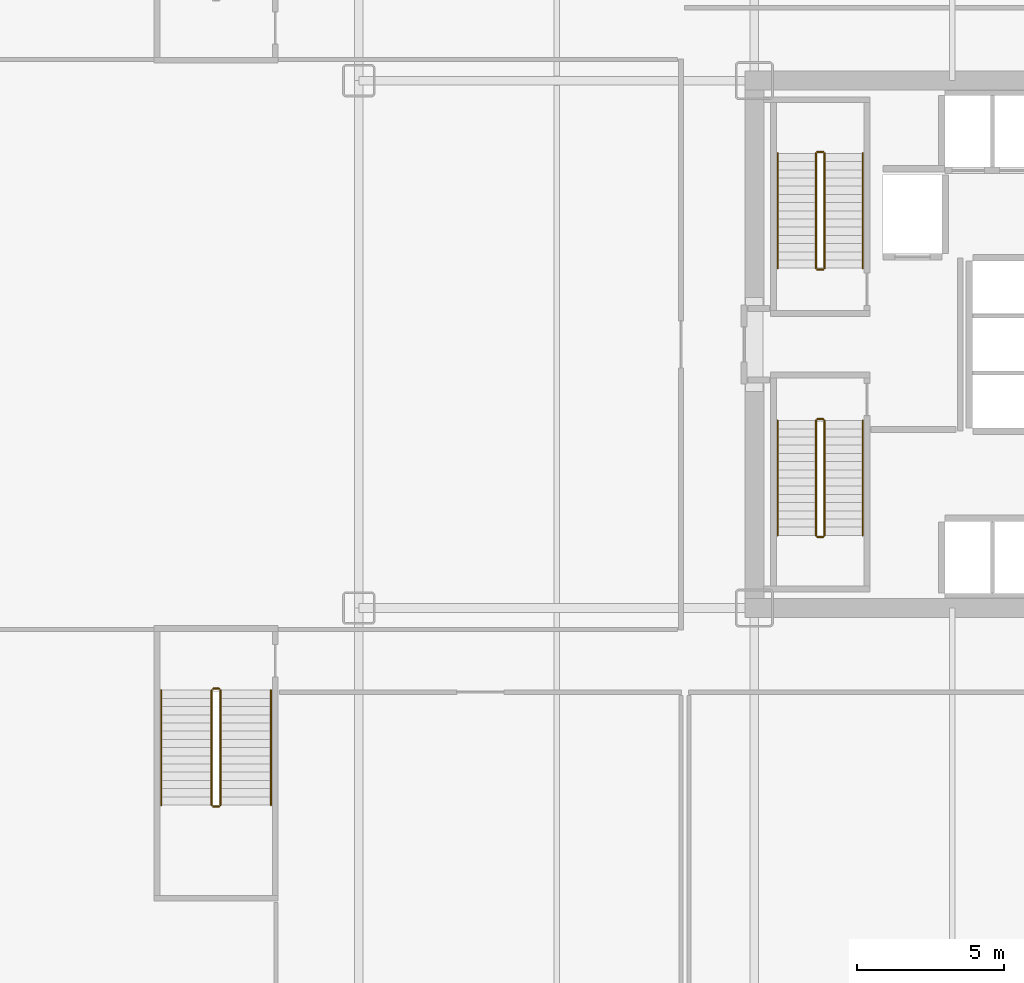
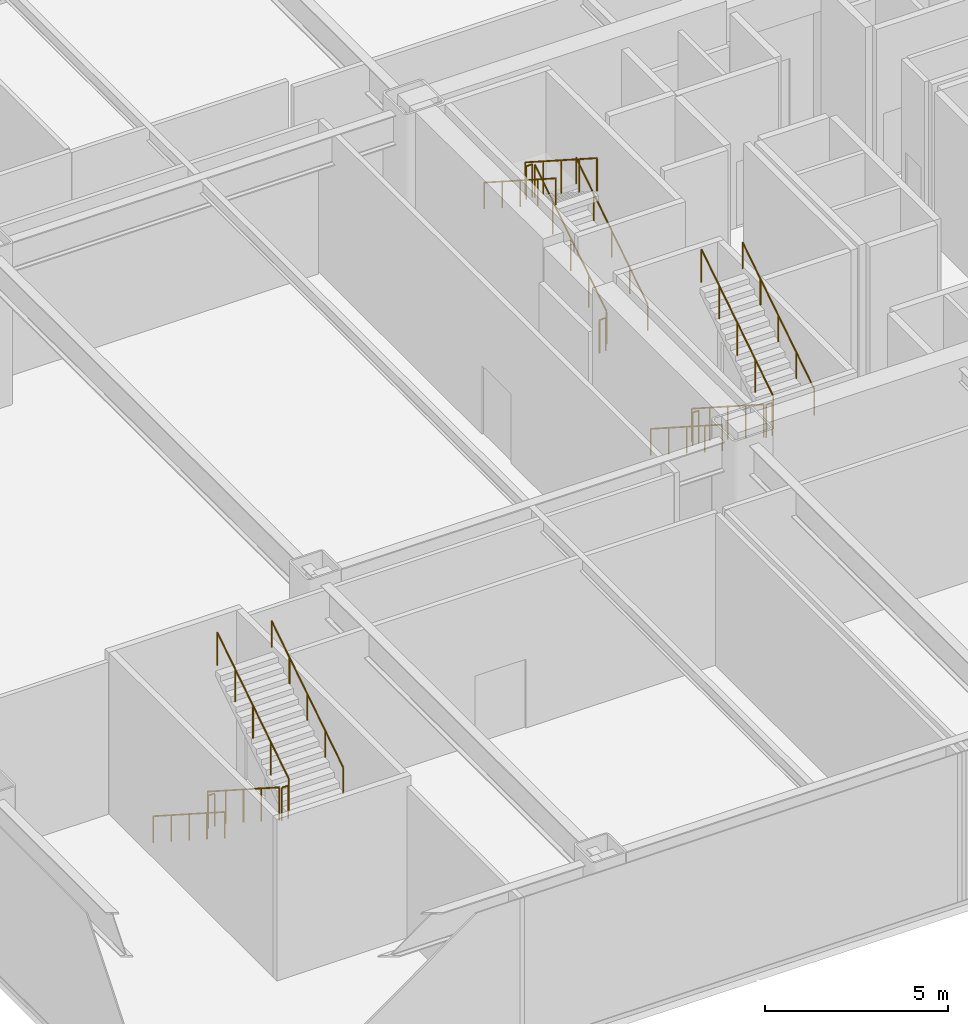
# One storey, part 21 of 24: 18 railings.
"""IFC4 building model written with IfcOpenShell, lengths in metres."""

from ifc_helpers import new_model, si_unit, direction, frame, origin, origin_2d, place, context, subcontext, project, spatial, circle, extrude, material, type_object, element, save


model = new_model("IFC4")

# Units and contexts
model_context = context("Model", 3, precision=1e-05, world=origin(), true_north=direction((0.0, 1.0)))
body_context = subcontext(model_context, "Body", "Model", "MODEL_VIEW")
ifc_project = project(units=[si_unit("LENGTHUNIT", "METRE"), si_unit("AREAUNIT", "SQUARE_METRE"), si_unit("VOLUMEUNIT", "CUBIC_METRE"), si_unit("PLANEANGLEUNIT", "RADIAN"), si_unit("MASSUNIT", "GRAM", prefix="KILO")], contexts=[model_context])

# Site, building, storey
site_placement = place(None, origin())
site = spatial("IfcSite", under=ifc_project, at=site_placement, CompositionType="ELEMENT")
building_placement = place(site_placement, origin())
building = spatial("IfcBuilding", under=site, at=building_placement, Name="Nefas-Gora Pilgrimage Tower", CompositionType="ELEMENT")
storey_placement = place(building_placement, frame((0.0, 0.0, 6.0)))
storey = spatial("IfcBuildingStorey", under=building, at=storey_placement, Name="L01", CompositionType="ELEMENT", Elevation=6.0)

# Railings
ifc_material_1 = material(Name="Painted galvanised steel", Category="steel")
railing_type_1 = type_object("IfcRailingType", Name="RLG-STR-GUARD-1100", PredefinedType="GUARDRAIL", material=ifc_material_1)
railing_1_placement = place(storey_placement, frame((-8.85009765625, 2.60009765625, 0.179931640625)))
element("IfcRailing", 1, at=railing_1_placement, inside=storey, type_object=railing_type_1, Name="L01 ST-01 stair guard 1", PredefinedType="GUARDRAIL", context=body_context, shape_type="SweptSolid", body=[
    extrude(circle(Radius=0.02392578125, at=origin_2d()), frame((0.0, 0.0, 1.09619140625), z_axis=(0.0, 0.841171666519, 0.540768182723), x_axis=(-1.0, 0.0, 0.0)), (0.0, 0.0, 1.0), 4.66015625),
    extrude(circle(Radius=0.02099609375, at=origin_2d()), origin(), (0.0, 0.0, 1.0), 1.072021484375),
    extrude(circle(Radius=0.02099609375, at=origin_2d()), frame((0.0, 0.97998046875, 0.6298828125)), (0.0, 0.0, 1.0), 1.072021484375),
    extrude(circle(Radius=0.02099609375, at=origin_2d()), frame((0.0, 1.9599609375, 1.260009765625)), (0.0, 0.0, 1.0), 1.072021484375),
    extrude(circle(Radius=0.02099609375, at=origin_2d()), frame((0.0, 2.93994140625, 1.89013671875)), (0.0, 0.0, 1.0), 1.072021484375),
    extrude(circle(Radius=0.02099609375, at=origin_2d()), frame((0.0, 3.919921875, 2.52001953125)), (0.0, 0.0, 1.0), 1.072021484375),
])
railing_2_placement = place(storey_placement, frame((-8.89990234375, 6.570068359375, 2.699951171875)))
element("IfcRailing", 2, at=railing_2_placement, inside=storey, type_object=railing_type_1, Name="L01 ST-01 stair guard 2", PredefinedType="GUARDRAIL", context=body_context, shape_type="SweptSolid", body=[
    extrude(circle(Radius=0.02392578125, at=origin_2d()), frame((0.0, 0.0, 1.09619140625), z_axis=(-1.0, 0.0, 0.0), x_axis=(0.0, -1.0, 0.0)), (0.0, 0.0, 1.0), 0.2001953125),
    extrude(circle(Radius=0.02099609375, at=origin_2d()), origin(), (0.0, 0.0, 1.0), 1.072021484375),
    extrude(circle(Radius=0.02099609375, at=origin_2d()), frame((-0.2001953125, 0.0, 0.0)), (0.0, 0.0, 1.0), 1.072021484375),
])
railing_3_placement = place(storey_placement, frame((-9.14990234375, 6.52001953125, 2.8798828125)))
element("IfcRailing", 3, at=railing_3_placement, inside=storey, type_object=railing_type_1, Name="L01 ST-01 stair guard 3", PredefinedType="GUARDRAIL", context=body_context, shape_type="SweptSolid", body=[
    extrude(circle(Radius=0.02392578125, at=origin_2d()), frame((0.0, 0.0, 1.09619140625), z_axis=(0.0, -0.841171666519, 0.540768182723), x_axis=(1.0, 0.0, 0.0)), (0.0, 0.0, 1.0), 4.66015625),
    extrude(circle(Radius=0.02099609375, at=origin_2d()), origin(), (0.0, 0.0, 1.0), 1.072021484375),
    extrude(circle(Radius=0.02099609375, at=origin_2d()), frame((0.0, -0.97998046875, 0.6298828125)), (0.0, 0.0, 1.0), 1.072021484375),
    extrude(circle(Radius=0.02099609375, at=origin_2d()), frame((0.0, -1.9599609375, 1.260009765625)), (0.0, 0.0, 1.0), 1.072021484375),
    extrude(circle(Radius=0.02099609375, at=origin_2d()), frame((0.0, -2.93994140625, 1.89013671875)), (0.0, 0.0, 1.0), 1.072021484375),
    extrude(circle(Radius=0.02099609375, at=origin_2d()), frame((0.0, -3.919921875, 2.52001953125)), (0.0, 0.0, 1.0), 1.072021484375),
])
railing_4_placement = place(storey_placement, frame((-8.89990234375, 2.550048828125, 0.0)))
element("IfcRailing", 4, at=railing_4_placement, inside=storey, type_object=railing_type_1, Name="L01 ST-01 stair guard 4", PredefinedType="GUARDRAIL", context=body_context, shape_type="SweptSolid", body=[
    extrude(circle(Radius=0.02392578125, at=origin_2d()), frame((0.0, 0.0, 1.09619140625), z_axis=(-1.0, 0.0, 0.0), x_axis=(0.0, -1.0, 0.0)), (0.0, 0.0, 1.0), 0.2001953125),
    extrude(circle(Radius=0.02099609375, at=origin_2d()), origin(), (0.0, 0.0, 1.0), 1.072021484375),
    extrude(circle(Radius=0.02099609375, at=origin_2d()), frame((-0.2001953125, 0.0, 0.0)), (0.0, 0.0, 1.0), 1.072021484375),
])
railing_5_placement = place(storey_placement, frame((-9.14990234375, -2.60009765625, 0.179931640625)))
element("IfcRailing", 5, at=railing_5_placement, inside=storey, type_object=railing_type_1, Name="L01 ST-03 stair guard 1", PredefinedType="GUARDRAIL", context=body_context, shape_type="SweptSolid", body=[
    extrude(circle(Radius=0.02392578125, at=origin_2d()), frame((0.0, 0.0, 1.09619140625), z_axis=(0.0, -0.841171666519, 0.540768182723), x_axis=(1.0, 0.0, 0.0)), (0.0, 0.0, 1.0), 4.66015625),
    extrude(circle(Radius=0.02099609375, at=origin_2d()), origin(), (0.0, 0.0, 1.0), 1.072021484375),
    extrude(circle(Radius=0.02099609375, at=origin_2d()), frame((0.0, -0.97998046875, 0.6298828125)), (0.0, 0.0, 1.0), 1.072021484375),
    extrude(circle(Radius=0.02099609375, at=origin_2d()), frame((0.0, -1.9599609375, 1.260009765625)), (0.0, 0.0, 1.0), 1.072021484375),
    extrude(circle(Radius=0.02099609375, at=origin_2d()), frame((0.0, -2.93994140625, 1.89013671875)), (0.0, 0.0, 1.0), 1.072021484375),
    extrude(circle(Radius=0.02099609375, at=origin_2d()), frame((0.0, -3.919921875, 2.52001953125)), (0.0, 0.0, 1.0), 1.072021484375),
])
railing_6_placement = place(storey_placement, frame((-9.10009765625, -6.570068359375, 2.699951171875)))
element("IfcRailing", 6, at=railing_6_placement, inside=storey, type_object=railing_type_1, Name="L01 ST-03 stair guard 2", PredefinedType="GUARDRAIL", context=body_context, shape_type="SweptSolid", body=[
    extrude(circle(Radius=0.02392578125, at=origin_2d()), frame((0.0, 0.0, 1.09619140625), z_axis=(1.0, 0.0, 0.0), x_axis=(0.0, 1.0, 0.0)), (0.0, 0.0, 1.0), 0.2001953125),
    extrude(circle(Radius=0.02099609375, at=origin_2d()), origin(), (0.0, 0.0, 1.0), 1.072021484375),
    extrude(circle(Radius=0.02099609375, at=origin_2d()), frame((0.2001953125, 0.0, 0.0)), (0.0, 0.0, 1.0), 1.072021484375),
])
railing_7_placement = place(storey_placement, frame((-8.85009765625, -6.52001953125, 2.8798828125)))
element("IfcRailing", 7, at=railing_7_placement, inside=storey, type_object=railing_type_1, Name="L01 ST-03 stair guard 3", PredefinedType="GUARDRAIL", context=body_context, shape_type="SweptSolid", body=[
    extrude(circle(Radius=0.02392578125, at=origin_2d()), frame((0.0, 0.0, 1.09619140625), z_axis=(0.0, 0.841171666519, 0.540768182723), x_axis=(-1.0, 0.0, 0.0)), (0.0, 0.0, 1.0), 4.66015625),
    extrude(circle(Radius=0.02099609375, at=origin_2d()), origin(), (0.0, 0.0, 1.0), 1.072021484375),
    extrude(circle(Radius=0.02099609375, at=origin_2d()), frame((0.0, 0.97998046875, 0.6298828125)), (0.0, 0.0, 1.0), 1.072021484375),
    extrude(circle(Radius=0.02099609375, at=origin_2d()), frame((0.0, 1.9599609375, 1.260009765625)), (0.0, 0.0, 1.0), 1.072021484375),
    extrude(circle(Radius=0.02099609375, at=origin_2d()), frame((0.0, 2.93994140625, 1.89013671875)), (0.0, 0.0, 1.0), 1.072021484375),
    extrude(circle(Radius=0.02099609375, at=origin_2d()), frame((0.0, 3.919921875, 2.52001953125)), (0.0, 0.0, 1.0), 1.072021484375),
])
railing_8_placement = place(storey_placement, frame((-9.10009765625, -2.550048828125, 0.0)))
element("IfcRailing", 8, at=railing_8_placement, inside=storey, type_object=railing_type_1, Name="L01 ST-03 stair guard 4", PredefinedType="GUARDRAIL", context=body_context, shape_type="SweptSolid", body=[
    extrude(circle(Radius=0.02392578125, at=origin_2d()), frame((0.0, 0.0, 1.09619140625), z_axis=(1.0, 0.0, 0.0), x_axis=(0.0, 1.0, 0.0)), (0.0, 0.0, 1.0), 0.2001953125),
    extrude(circle(Radius=0.02099609375, at=origin_2d()), origin(), (0.0, 0.0, 1.0), 1.072021484375),
    extrude(circle(Radius=0.02099609375, at=origin_2d()), frame((0.2001953125, 0.0, 0.0)), (0.0, 0.0, 1.0), 1.072021484375),
])
railing_9_placement = place(storey_placement, frame((-29.77001953125, -11.800048828125, 0.179931640625)))
element("IfcRailing", 9, at=railing_9_placement, inside=storey, type_object=railing_type_1, Name="L01 ST-05 stair guard 1", PredefinedType="GUARDRAIL", context=body_context, shape_type="SweptSolid", body=[
    extrude(circle(Radius=0.02392578125, at=origin_2d()), frame((0.0, 0.0, 1.09619140625), z_axis=(0.0, -0.841171666519, 0.540768182723), x_axis=(1.0, 0.0, 0.0)), (0.0, 0.0, 1.0), 4.66015625),
    extrude(circle(Radius=0.02099609375, at=origin_2d()), origin(), (0.0, 0.0, 1.0), 1.072021484375),
    extrude(circle(Radius=0.02099609375, at=origin_2d()), frame((0.0, -0.97998046875, 0.6298828125)), (0.0, 0.0, 1.0), 1.072021484375),
    extrude(circle(Radius=0.02099609375, at=origin_2d()), frame((0.0, -1.9599609375, 1.260009765625)), (0.0, 0.0, 1.0), 1.072021484375),
    extrude(circle(Radius=0.02099609375, at=origin_2d()), frame((0.0, -2.93994140625, 1.89013671875)), (0.0, 0.0, 1.0), 1.072021484375),
    extrude(circle(Radius=0.02099609375, at=origin_2d()), frame((0.0, -3.919921875, 2.52001953125)), (0.0, 0.0, 1.0), 1.072021484375),
])
railing_10_placement = place(storey_placement, frame((-29.719970703125, -15.77001953125, 2.699951171875)))
element("IfcRailing", 10, at=railing_10_placement, inside=storey, type_object=railing_type_1, Name="L01 ST-05 stair guard 2", PredefinedType="GUARDRAIL", context=body_context, shape_type="SweptSolid", body=[
    extrude(circle(Radius=0.02392578125, at=origin_2d()), frame((0.0, 0.0, 1.09619140625), z_axis=(1.0, 0.0, 0.0), x_axis=(0.0, 1.0, 0.0)), (0.0, 0.0, 1.0), 0.199951171875),
    extrude(circle(Radius=0.02099609375, at=origin_2d()), origin(), (0.0, 0.0, 1.0), 1.072021484375),
    extrude(circle(Radius=0.02099609375, at=origin_2d()), frame((0.199951171875, 0.0, 0.0)), (0.0, 0.0, 1.0), 1.072021484375),
])
railing_11_placement = place(storey_placement, frame((-29.469970703125, -15.719970703125, 2.8798828125)))
element("IfcRailing", 11, at=railing_11_placement, inside=storey, type_object=railing_type_1, Name="L01 ST-05 stair guard 3", PredefinedType="GUARDRAIL", context=body_context, shape_type="SweptSolid", body=[
    extrude(circle(Radius=0.02392578125, at=origin_2d()), frame((0.0, 0.0, 1.09619140625), z_axis=(0.0, 0.841171666519, 0.540768182723), x_axis=(-1.0, 0.0, 0.0)), (0.0, 0.0, 1.0), 4.66015625),
    extrude(circle(Radius=0.02099609375, at=origin_2d()), origin(), (0.0, 0.0, 1.0), 1.072021484375),
    extrude(circle(Radius=0.02099609375, at=origin_2d()), frame((0.0, 0.97998046875, 0.6298828125)), (0.0, 0.0, 1.0), 1.072021484375),
    extrude(circle(Radius=0.02099609375, at=origin_2d()), frame((0.0, 1.9599609375, 1.260009765625)), (0.0, 0.0, 1.0), 1.072021484375),
    extrude(circle(Radius=0.02099609375, at=origin_2d()), frame((0.0, 2.93994140625, 1.89013671875)), (0.0, 0.0, 1.0), 1.072021484375),
    extrude(circle(Radius=0.02099609375, at=origin_2d()), frame((0.0, 3.919921875, 2.52001953125)), (0.0, 0.0, 1.0), 1.072021484375),
])
railing_12_placement = place(storey_placement, frame((-29.719970703125, -11.75, 0.0)))
element("IfcRailing", 12, at=railing_12_placement, inside=storey, type_object=railing_type_1, Name="L01 ST-05 stair guard 4", PredefinedType="GUARDRAIL", context=body_context, shape_type="SweptSolid", body=[
    extrude(circle(Radius=0.02392578125, at=origin_2d()), frame((0.0, 0.0, 1.09619140625), z_axis=(1.0, 0.0, 0.0), x_axis=(0.0, 1.0, 0.0)), (0.0, 0.0, 1.0), 0.199951171875),
    extrude(circle(Radius=0.02099609375, at=origin_2d()), origin(), (0.0, 0.0, 1.0), 1.072021484375),
    extrude(circle(Radius=0.02099609375, at=origin_2d()), frame((0.199951171875, 0.0, 0.0)), (0.0, 0.0, 1.0), 1.072021484375),
])
ifc_material_2 = material(Name="Brushed stainless steel", Category="steel")
railing_type_2 = type_object("IfcRailingType", Name="RLG-STR-HAND-900", PredefinedType="HANDRAIL", material=ifc_material_2)
railing_13_placement = place(storey_placement, frame((-7.550048828125, 2.60009765625, 0.179931640625)))
element("IfcRailing", 13, at=railing_13_placement, inside=storey, type_object=railing_type_2, Name="L01 ST-01 stair handrail 1", PredefinedType="HANDRAIL", context=body_context, shape_type="SweptSolid", body=[
    extrude(circle(Radius=0.02392578125, at=origin_2d()), frame((0.0, 0.0, 0.8759765625), z_axis=(0.0, 0.841171666519, 0.540768182723), x_axis=(-1.0, 0.0, 0.0)), (0.0, 0.0, 1.0), 4.66015625),
    extrude(circle(Radius=0.02099609375, at=origin_2d()), origin(), (0.0, 0.0, 1.0), 0.851806640625),
    extrude(circle(Radius=0.02099609375, at=origin_2d()), frame((0.0, 0.97998046875, 0.6298828125)), (0.0, 0.0, 1.0), 0.851806640625),
    extrude(circle(Radius=0.02099609375, at=origin_2d()), frame((0.0, 1.9599609375, 1.260009765625)), (0.0, 0.0, 1.0), 0.851806640625),
    extrude(circle(Radius=0.02099609375, at=origin_2d()), frame((0.0, 2.93994140625, 1.89013671875)), (0.0, 0.0, 1.0), 0.851806640625),
    extrude(circle(Radius=0.02099609375, at=origin_2d()), frame((0.0, 3.919921875, 2.52001953125)), (0.0, 0.0, 1.0), 0.851806640625),
])
for number, where, name in (
    (14, (-10.449951171875, 6.52001953125, 2.8798828125), "L01 ST-01 stair handrail 2"),
    (15, (-10.449951171875, -2.60009765625, 0.179931640625), "L01 ST-03 stair handrail 1"),
):
    element("IfcRailing", number, at=place(storey_placement, frame(where)), inside=storey, type_object=railing_type_2, Name=name, PredefinedType="HANDRAIL", context=body_context, shape_type="SweptSolid", body=[
        extrude(circle(Radius=0.02392578125, at=origin_2d()), frame((0.0, 0.0, 0.8759765625), z_axis=(0.0, -0.841171666519, 0.540768182723), x_axis=(1.0, 0.0, 0.0)), (0.0, 0.0, 1.0), 4.66015625),
        extrude(circle(Radius=0.02099609375, at=origin_2d()), origin(), (0.0, 0.0, 1.0), 0.851806640625),
        extrude(circle(Radius=0.02099609375, at=origin_2d()), frame((0.0, -0.97998046875, 0.6298828125)), (0.0, 0.0, 1.0), 0.851806640625),
        extrude(circle(Radius=0.02099609375, at=origin_2d()), frame((0.0, -1.9599609375, 1.260009765625)), (0.0, 0.0, 1.0), 0.851806640625),
        extrude(circle(Radius=0.02099609375, at=origin_2d()), frame((0.0, -2.93994140625, 1.89013671875)), (0.0, 0.0, 1.0), 0.851806640625),
        extrude(circle(Radius=0.02099609375, at=origin_2d()), frame((0.0, -3.919921875, 2.52001953125)), (0.0, 0.0, 1.0), 0.851806640625),
    ])
railing_14_placement = place(storey_placement, frame((-7.550048828125, -6.52001953125, 2.8798828125)))
element("IfcRailing", 16, at=railing_14_placement, inside=storey, type_object=railing_type_2, Name="L01 ST-03 stair handrail 2", PredefinedType="HANDRAIL", context=body_context, shape_type="SweptSolid", body=[
    extrude(circle(Radius=0.02392578125, at=origin_2d()), frame((0.0, 0.0, 0.8759765625), z_axis=(0.0, 0.841171666519, 0.540768182723), x_axis=(-1.0, 0.0, 0.0)), (0.0, 0.0, 1.0), 4.66015625),
    extrude(circle(Radius=0.02099609375, at=origin_2d()), origin(), (0.0, 0.0, 1.0), 0.851806640625),
    extrude(circle(Radius=0.02099609375, at=origin_2d()), frame((0.0, 0.97998046875, 0.6298828125)), (0.0, 0.0, 1.0), 0.851806640625),
    extrude(circle(Radius=0.02099609375, at=origin_2d()), frame((0.0, 1.9599609375, 1.260009765625)), (0.0, 0.0, 1.0), 0.851806640625),
    extrude(circle(Radius=0.02099609375, at=origin_2d()), frame((0.0, 2.93994140625, 1.89013671875)), (0.0, 0.0, 1.0), 0.851806640625),
    extrude(circle(Radius=0.02099609375, at=origin_2d()), frame((0.0, 3.919921875, 2.52001953125)), (0.0, 0.0, 1.0), 0.851806640625),
])
railing_15_placement = place(storey_placement, frame((-31.489990234375, -11.800048828125, 0.179931640625)))
element("IfcRailing", 17, at=railing_15_placement, inside=storey, type_object=railing_type_2, Name="L01 ST-05 stair handrail 1", PredefinedType="HANDRAIL", context=body_context, shape_type="SweptSolid", body=[
    extrude(circle(Radius=0.02392578125, at=origin_2d()), frame((0.0, 0.0, 0.8759765625), z_axis=(0.0, -0.841171666519, 0.540768182723), x_axis=(1.0, 0.0, 0.0)), (0.0, 0.0, 1.0), 4.66015625),
    extrude(circle(Radius=0.02099609375, at=origin_2d()), origin(), (0.0, 0.0, 1.0), 0.851806640625),
    extrude(circle(Radius=0.02099609375, at=origin_2d()), frame((0.0, -0.97998046875, 0.6298828125)), (0.0, 0.0, 1.0), 0.851806640625),
    extrude(circle(Radius=0.02099609375, at=origin_2d()), frame((0.0, -1.9599609375, 1.260009765625)), (0.0, 0.0, 1.0), 0.851806640625),
    extrude(circle(Radius=0.02099609375, at=origin_2d()), frame((0.0, -2.93994140625, 1.89013671875)), (0.0, 0.0, 1.0), 0.851806640625),
    extrude(circle(Radius=0.02099609375, at=origin_2d()), frame((0.0, -3.919921875, 2.52001953125)), (0.0, 0.0, 1.0), 0.851806640625),
])
railing_16_placement = place(storey_placement, frame((-27.75, -15.719970703125, 2.8798828125)))
element("IfcRailing", 18, at=railing_16_placement, inside=storey, type_object=railing_type_2, Name="L01 ST-05 stair handrail 2", PredefinedType="HANDRAIL", context=body_context, shape_type="SweptSolid", body=[
    extrude(circle(Radius=0.02392578125, at=origin_2d()), frame((0.0, 0.0, 0.8759765625), z_axis=(0.0, 0.841171666519, 0.540768182723), x_axis=(-1.0, 0.0, 0.0)), (0.0, 0.0, 1.0), 4.66015625),
    extrude(circle(Radius=0.02099609375, at=origin_2d()), origin(), (0.0, 0.0, 1.0), 0.851806640625),
    extrude(circle(Radius=0.02099609375, at=origin_2d()), frame((0.0, 0.97998046875, 0.6298828125)), (0.0, 0.0, 1.0), 0.851806640625),
    extrude(circle(Radius=0.02099609375, at=origin_2d()), frame((0.0, 1.9599609375, 1.260009765625)), (0.0, 0.0, 1.0), 0.851806640625),
    extrude(circle(Radius=0.02099609375, at=origin_2d()), frame((0.0, 2.93994140625, 1.89013671875)), (0.0, 0.0, 1.0), 0.851806640625),
    extrude(circle(Radius=0.02099609375, at=origin_2d()), frame((0.0, 3.919921875, 2.52001953125)), (0.0, 0.0, 1.0), 0.851806640625),
])

save(model, "model.ifc")
